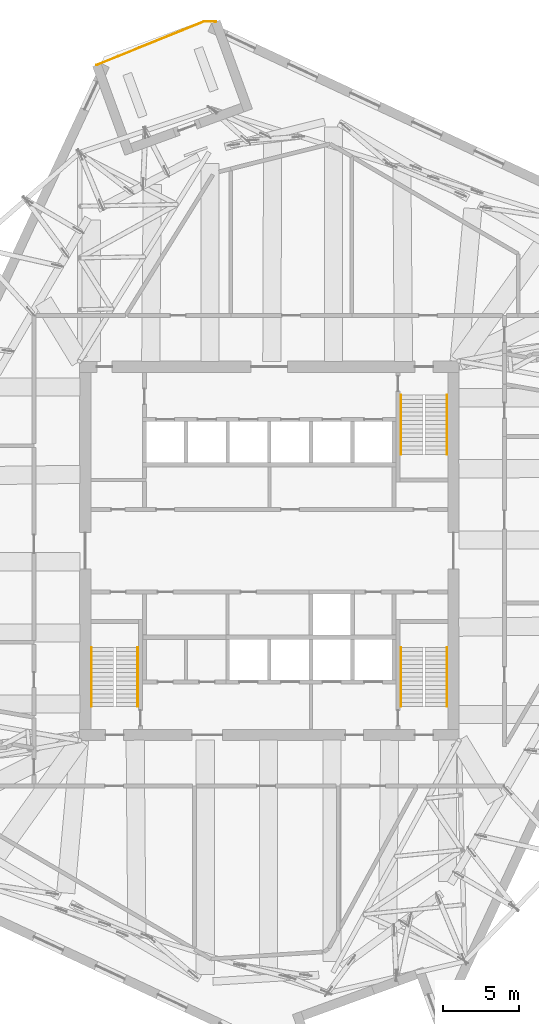
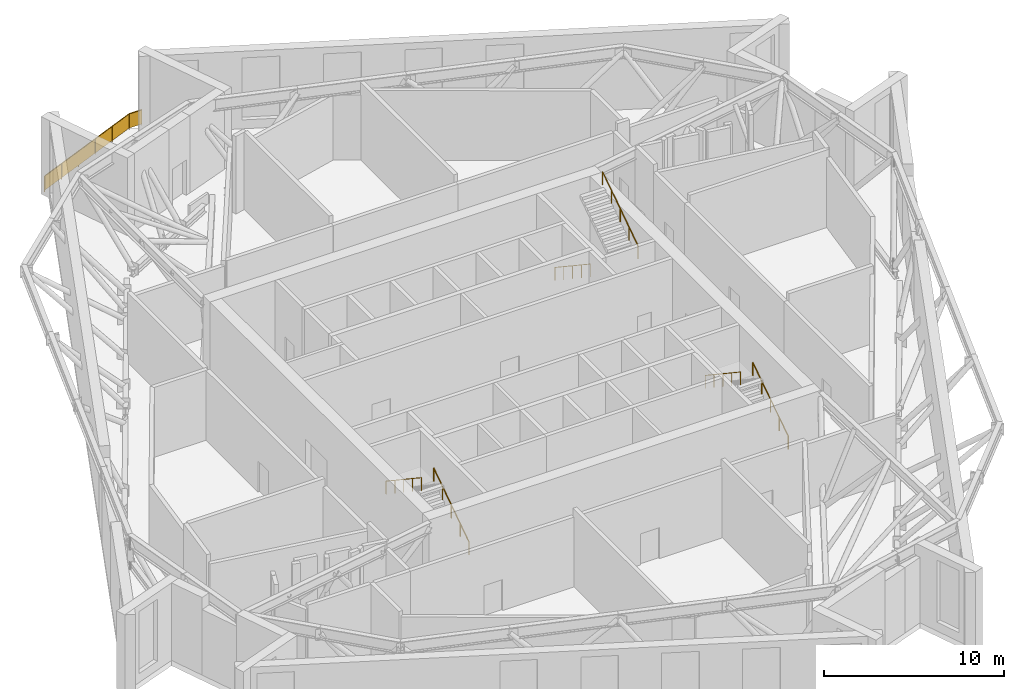
# One storey, part 14 of 15: 7 railings.
"""IFC4 building model written with IfcOpenShell, lengths in metres."""

from ifc_helpers import new_model, si_unit, direction, frame, origin, origin_2d, place, context, subcontext, project, spatial, rectangle, circle, extrude, material, type_object, element, save


model = new_model("IFC4")

# Units and contexts
model_context = context("Model", 3, precision=1e-05, world=origin(), true_north=direction((0.0, 1.0)))
body_context = subcontext(model_context, "Body", "Model", "MODEL_VIEW")
ifc_project = project(units=[si_unit("LENGTHUNIT", "METRE"), si_unit("AREAUNIT", "SQUARE_METRE"), si_unit("VOLUMEUNIT", "CUBIC_METRE"), si_unit("PLANEANGLEUNIT", "RADIAN"), si_unit("MASSUNIT", "GRAM", prefix="KILO")], contexts=[model_context])

# Site, building, storey
site_placement = place(None, origin())
site = spatial("IfcSite", under=ifc_project, at=site_placement, CompositionType="ELEMENT")
building_placement = place(site_placement, origin())
building = spatial("IfcBuilding", under=site, at=building_placement, Name="Dilmun Exchange Tower", CompositionType="ELEMENT")
storey_placement = place(building_placement, frame((0.0, 0.0, 290.89990234375)))
storey = spatial("IfcBuildingStorey", under=building, at=storey_placement, Name="L69", CompositionType="ELEMENT", Elevation=290.89990234375)

# Railings
ifc_material = material(Name="Stainless steel", Category="steel")
railing_type_1 = type_object("IfcRailingType", Name="Stair handrail 900", PredefinedType="HANDRAIL", material=ifc_material)
railing_1_placement = place(storey_placement, frame((8.699951171875, 10.300048828125, 0.186767578125)))
element("IfcRailing", 1, at=railing_1_placement, inside=storey, type_object=railing_type_1, Name="L69 ST1 stair handrail 1", PredefinedType="HANDRAIL", context=body_context, shape_type="SweptSolid", body=[
    extrude(circle(Radius=0.02392578125, at=origin_2d()), frame((0.0, 0.0, 0.8759765625), z_axis=(0.0, -0.832066238466, 0.554676279289), x_axis=(1.0, 0.0, 0.0)), (0.0, 0.0, 1.0), 4.71142578125),
    extrude(circle(Radius=0.02099609375, at=origin_2d()), origin(), (0.0, 0.0, 1.0), 0.851806640625),
    extrude(circle(Radius=0.02099609375, at=origin_2d()), frame((0.0, -0.97998046875, 0.6533203125)), (0.0, 0.0, 1.0), 0.851806640625),
    extrude(circle(Radius=0.02099609375, at=origin_2d()), frame((0.0, -1.9599609375, 1.306640625)), (0.0, 0.0, 1.0), 0.851806640625),
    extrude(circle(Radius=0.02099609375, at=origin_2d()), frame((0.0, -2.940185546875, 1.9599609375)), (0.0, 0.0, 1.0), 0.851806640625),
    extrude(circle(Radius=0.02099609375, at=origin_2d()), frame((0.0, -3.920166015625, 2.61328125)), (0.0, 0.0, 1.0), 0.851806640625),
])
for number, where, name in (
    (2, (11.75, 6.3798828125, 2.98681640625), "L69 ST1 stair handrail 2"),
    (3, (-8.699951171875, -10.300048828125, 0.186767578125), "L69 ST2 stair handrail 1"),
):
    element("IfcRailing", number, at=place(storey_placement, frame(where)), inside=storey, type_object=railing_type_1, Name=name, PredefinedType="HANDRAIL", context=body_context, shape_type="SweptSolid", body=[
        extrude(circle(Radius=0.02392578125, at=origin_2d()), frame((0.0, 0.0, 0.8759765625), z_axis=(0.0, 0.832066238466, 0.554676279289), x_axis=(-1.0, 0.0, 0.0)), (0.0, 0.0, 1.0), 4.71142578125),
        extrude(circle(Radius=0.02099609375, at=origin_2d()), origin(), (0.0, 0.0, 1.0), 0.851806640625),
        extrude(circle(Radius=0.02099609375, at=origin_2d()), frame((0.0, 0.97998046875, 0.6533203125)), (0.0, 0.0, 1.0), 0.851806640625),
        extrude(circle(Radius=0.02099609375, at=origin_2d()), frame((0.0, 1.9599609375, 1.306640625)), (0.0, 0.0, 1.0), 0.851806640625),
        extrude(circle(Radius=0.02099609375, at=origin_2d()), frame((0.0, 2.940185546875, 1.9599609375)), (0.0, 0.0, 1.0), 0.851806640625),
        extrude(circle(Radius=0.02099609375, at=origin_2d()), frame((0.0, 3.920166015625, 2.61328125)), (0.0, 0.0, 1.0), 0.851806640625),
    ])
railing_2_placement = place(storey_placement, frame((-11.75, -6.3798828125, 2.98681640625)))
element("IfcRailing", 4, at=railing_2_placement, inside=storey, type_object=railing_type_1, Name="L69 ST2 stair handrail 2", PredefinedType="HANDRAIL", context=body_context, shape_type="SweptSolid", body=[
    extrude(circle(Radius=0.02392578125, at=origin_2d()), frame((0.0, 0.0, 0.8759765625), z_axis=(0.0, -0.832066238466, 0.554676279289), x_axis=(1.0, 0.0, 0.0)), (0.0, 0.0, 1.0), 4.71142578125),
    extrude(circle(Radius=0.02099609375, at=origin_2d()), origin(), (0.0, 0.0, 1.0), 0.851806640625),
    extrude(circle(Radius=0.02099609375, at=origin_2d()), frame((0.0, -0.97998046875, 0.6533203125)), (0.0, 0.0, 1.0), 0.851806640625),
    extrude(circle(Radius=0.02099609375, at=origin_2d()), frame((0.0, -1.9599609375, 1.306640625)), (0.0, 0.0, 1.0), 0.851806640625),
    extrude(circle(Radius=0.02099609375, at=origin_2d()), frame((0.0, -2.940185546875, 1.9599609375)), (0.0, 0.0, 1.0), 0.851806640625),
    extrude(circle(Radius=0.02099609375, at=origin_2d()), frame((0.0, -3.920166015625, 2.61328125)), (0.0, 0.0, 1.0), 0.851806640625),
])
railing_3_placement = place(storey_placement, frame((11.75, -10.300048828125, 0.186767578125)))
element("IfcRailing", 5, at=railing_3_placement, inside=storey, type_object=railing_type_1, Name="L69 ST3 stair handrail 1", PredefinedType="HANDRAIL", context=body_context, shape_type="SweptSolid", body=[
    extrude(circle(Radius=0.02392578125, at=origin_2d()), frame((0.0, 0.0, 0.8759765625), z_axis=(0.0, 0.832066238466, 0.554676279289), x_axis=(-1.0, 0.0, 0.0)), (0.0, 0.0, 1.0), 4.71142578125),
    extrude(circle(Radius=0.02099609375, at=origin_2d()), origin(), (0.0, 0.0, 1.0), 0.851806640625),
    extrude(circle(Radius=0.02099609375, at=origin_2d()), frame((0.0, 0.97998046875, 0.6533203125)), (0.0, 0.0, 1.0), 0.851806640625),
    extrude(circle(Radius=0.02099609375, at=origin_2d()), frame((0.0, 1.9599609375, 1.306640625)), (0.0, 0.0, 1.0), 0.851806640625),
    extrude(circle(Radius=0.02099609375, at=origin_2d()), frame((0.0, 2.940185546875, 1.9599609375)), (0.0, 0.0, 1.0), 0.851806640625),
    extrude(circle(Radius=0.02099609375, at=origin_2d()), frame((0.0, 3.920166015625, 2.61328125)), (0.0, 0.0, 1.0), 0.851806640625),
])
railing_4_placement = place(storey_placement, frame((8.699951171875, -6.3798828125, 2.98681640625)))
element("IfcRailing", 6, at=railing_4_placement, inside=storey, type_object=railing_type_1, Name="L69 ST3 stair handrail 2", PredefinedType="HANDRAIL", context=body_context, shape_type="SweptSolid", body=[
    extrude(circle(Radius=0.02392578125, at=origin_2d()), frame((0.0, 0.0, 0.8759765625), z_axis=(0.0, -0.832066238466, 0.554676279289), x_axis=(1.0, 0.0, 0.0)), (0.0, 0.0, 1.0), 4.71142578125),
    extrude(circle(Radius=0.02099609375, at=origin_2d()), origin(), (0.0, 0.0, 1.0), 0.851806640625),
    extrude(circle(Radius=0.02099609375, at=origin_2d()), frame((0.0, -0.97998046875, 0.6533203125)), (0.0, 0.0, 1.0), 0.851806640625),
    extrude(circle(Radius=0.02099609375, at=origin_2d()), frame((0.0, -1.9599609375, 1.306640625)), (0.0, 0.0, 1.0), 0.851806640625),
    extrude(circle(Radius=0.02099609375, at=origin_2d()), frame((0.0, -2.940185546875, 1.9599609375)), (0.0, 0.0, 1.0), 0.851806640625),
    extrude(circle(Radius=0.02099609375, at=origin_2d()), frame((0.0, -3.920166015625, 2.61328125)), (0.0, 0.0, 1.0), 0.851806640625),
])
railing_type_2 = type_object("IfcRailingType", Name="Terrace guard 1100 stainless steel", PredefinedType="GUARDRAIL", material=ifc_material)
railing_5_placement = place(storey_placement, frame((-11.4072265625, 32.117919921875, 0.0)))
element("IfcRailing", 7, at=railing_5_placement, inside=storey, type_object=railing_type_2, Name="Terrace guard 1", PredefinedType="GUARDRAIL", context=body_context, shape_type="SweptSolid", body=[
    extrude(circle(Radius=0.02392578125, at=origin_2d()), frame((0.0, 0.0, 1.076171875), z_axis=(0.92673174854, 0.375723656759, 0.0), x_axis=(-0.375723656759, 0.92673174854, 0.0)), (0.0, 0.0, 1.0), 7.63818359375),
    extrude(rectangle(XDim=0.011962890625, YDim=0.951904296875, at=origin_2d()), frame((0.0, 0.0, 0.576171875), z_axis=(0.92673174854, 0.375723656759, 0.0), x_axis=(-0.375723656759, 0.92673174854, 0.0)), (0.0, 0.0, 1.0), 7.63818359375),
    extrude(circle(Radius=0.02392578125, at=origin_2d()), frame((7.07861328125, 2.869873046875, 1.076171875), z_axis=(0.999984700757, -0.00553156872, 0.0), x_axis=(0.00553156872, 0.999984700757, 0.0)), (0.0, 0.0, 1.0), 0.79443359375),
    extrude(rectangle(XDim=0.011962890625, YDim=0.951904296875, at=origin_2d()), frame((7.07861328125, 2.869873046875, 0.576171875), z_axis=(0.999984700757, -0.00553156872, 0.0), x_axis=(0.00553156872, 0.999984700757, 0.0)), (0.0, 0.0, 1.0), 0.79443359375),
    extrude(circle(Radius=0.02099609375, at=origin_2d()), origin(), (0.0, 0.0, 1.0), 1.052001953125),
    extrude(circle(Radius=0.02099609375, at=origin_2d()), frame((1.415771484375, 0.573974609375, 0.0)), (0.0, 0.0, 1.0), 1.052001953125),
    extrude(circle(Radius=0.02099609375, at=origin_2d()), frame((2.83154296875, 1.14794921875, 0.0)), (0.0, 0.0, 1.0), 1.052001953125),
    extrude(circle(Radius=0.02099609375, at=origin_2d()), frame((4.2470703125, 1.721923828125, 0.0)), (0.0, 0.0, 1.0), 1.052001953125),
    extrude(circle(Radius=0.02099609375, at=origin_2d()), frame((5.662841796875, 2.2958984375, 0.0)), (0.0, 0.0, 1.0), 1.052001953125),
    extrude(circle(Radius=0.02099609375, at=origin_2d()), frame((7.07861328125, 2.869873046875, 0.0)), (0.0, 0.0, 1.0), 1.052001953125),
    extrude(circle(Radius=0.02099609375, at=origin_2d()), frame((7.873046875, 2.865478515625, 0.0)), (0.0, 0.0, 1.0), 1.052001953125),
])

save(model, "model.ifc")
